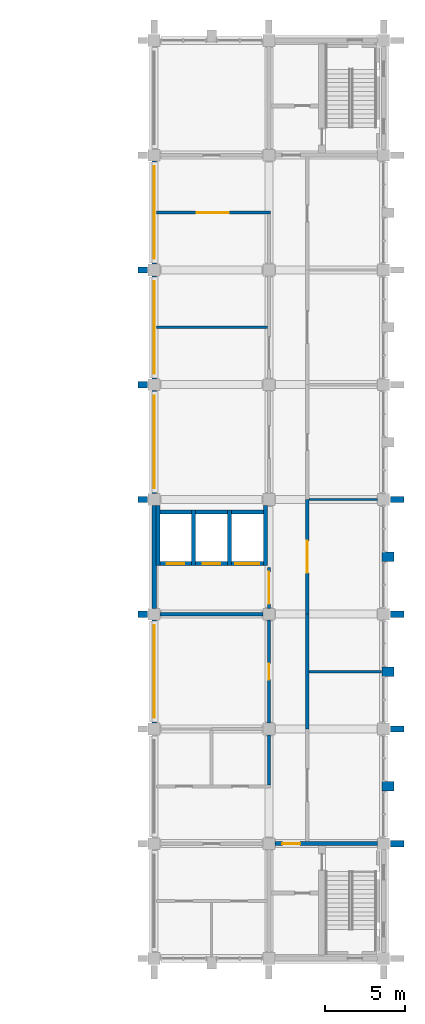
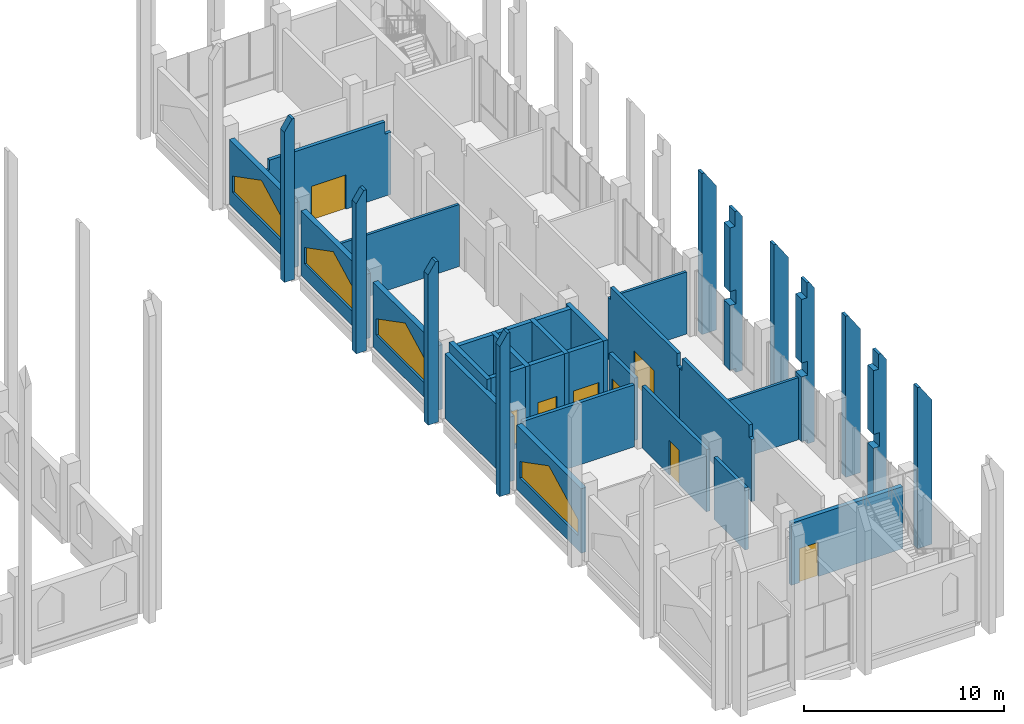
# One storey, part 35 of 40: 37 walls, 8 doors, 4 windows, 12 openings.
"""IFC4 building model written with IfcOpenShell, lengths in metres."""

from ifc_helpers import new_model, si_unit, direction, frame, frame_2d, origin, place, context, subcontext, project, spatial, polyline, rectangle, outline, extrude, material, layer, layer_set, type_object, element, fill, save


model = new_model("IFC4")

# Units and contexts
model_context = context("Model", 3, precision=1e-05, world=origin(), true_north=direction((0.0, 1.0)))
body_context = subcontext(model_context, "Body", "Model", "MODEL_VIEW")
ifc_project = project(units=[si_unit("LENGTHUNIT", "METRE"), si_unit("AREAUNIT", "SQUARE_METRE"), si_unit("VOLUMEUNIT", "CUBIC_METRE"), si_unit("PLANEANGLEUNIT", "RADIAN"), si_unit("MASSUNIT", "GRAM", prefix="KILO")], contexts=[model_context])

# Site, building, storey
site_placement = place(None, origin())
site = spatial("IfcSite", under=ifc_project, at=site_placement, CompositionType="ELEMENT")
building_placement = place(site_placement, origin())
building = spatial("IfcBuilding", under=site, at=building_placement, Name="Silangan Lancet Faculty of Sciences", CompositionType="ELEMENT")
storey_placement = place(building_placement, frame((0.0, 0.0, 21.60009765625)))
storey = spatial("IfcBuildingStorey", under=building, at=storey_placement, Name="L04", CompositionType="ELEMENT", Elevation=21.60009765625)

# Wall, opening, window
ifc_material_1 = material(Name="Concrete C40/50 precast", Category="concrete")
ifc_layer_1 = layer(ifc_material_1, 0.300048828125)
ifc_layer_set_1 = layer_set([ifc_layer_1], Name="Concrete C40/50 precast")
wall_type_1 = type_object("IfcWallType", Name="EW1 Precast cladding wall", PredefinedType="STANDARD", material=ifc_layer_set_1)
wall_1_placement = place(storey_placement, frame((72.0, 14.77490234375, 0.0), z_axis=(0.0, 0.0, 1.0), x_axis=(0.0, 1.0, 0.0)))
wall_1 = element("IfcWall", 1, at=wall_1_placement, inside=storey, type_object=wall_type_1, Name="EW-L04-W-EB-02", PredefinedType="STANDARD", context=body_context, shape_type="SweptSolid", body=[
    extrude(rectangle(XDim=6.4501953125, YDim=0.300048828125, at=frame_2d((3.22509765625, 0.0))), origin(), (0.0, 0.0, 1.0), 3.949951171875),
])
opening_1_placement = place(wall_1_placement, frame((0.324951171875, 0.0, 0.89990234375)))
opening_1 = element("IfcOpeningElement", 2, at=opening_1_placement, cuts=wall_1, Name="Opening W15", PredefinedType="OPENING", context=body_context, shape_type="SweptSolid", body=[
    extrude(outline(polyline([(0.0, 0.0), (5.800048828125, 0.0), (5.800048828125, 1.0), (2.89990234375, 2.5), (0.0, 1.0), (0.0, 0.0)])), frame((0.0, 0.159912109375, 0.0), z_axis=(0.0, -1.0, 0.0), x_axis=(1.0, 0.0, 0.0)), (0.0, 0.0, 1.0), 0.320068359375),
])
ifc_material_2 = material(Name="Aluminium frame, laminated double glazing", Category="aluminium")
window_type = type_object("IfcWindowType", Name="W15 Traceried bay window 5800 x 2500", PartitioningType="TRIPLE_PANEL_VERTICAL", PredefinedType="WINDOW", material=ifc_material_2)
window_1_placement = place(opening_1_placement, origin())
window_1 = element("IfcWindow", 3, at=window_1_placement, inside=storey, type_object=window_type, Name="WIN-L04-W-EB-02a", OverallHeight=2.5, OverallWidth=5.800048828125, PartitioningType="TRIPLE_PANEL_VERTICAL", PredefinedType="WINDOW", context=body_context, shape_type="SweptSolid", body=[
    extrude(outline(polyline([(0.0, 0.0), (5.800048828125, 0.0), (5.800048828125, 1.0), (2.89990234375, 2.5), (0.0, 1.0), (0.0, 0.0)])), frame((0.0, 0.030029296875, 0.0), z_axis=(0.0, -1.0, 0.0), x_axis=(1.0, 0.0, 0.0)), (0.0, 0.0, 1.0), 0.06005859375),
])
fill(opening_1, window_1)

# Wall
wall_2_placement = place(storey_placement, frame((72.0, 21.97509765625, 0.0), z_axis=(0.0, 0.0, 1.0), x_axis=(0.0, 1.0, 0.0)))
element("IfcWall", 4, at=wall_2_placement, inside=storey, type_object=wall_type_1, Name="EW-L04-W-EB-03", PredefinedType="STANDARD", context=body_context, shape_type="SweptSolid", body=[
    extrude(rectangle(XDim=6.449951171875, YDim=0.300048828125, at=frame_2d((3.22509765625, 0.0))), origin(), (0.0, 0.0, 1.0), 3.949951171875),
])

# Wall, opening, window
wall_3_placement = place(storey_placement, frame((72.0, 29.175048828125, 0.0), z_axis=(0.0, 0.0, 1.0), x_axis=(0.0, 1.0, 0.0)))
wall_3 = element("IfcWall", 5, at=wall_3_placement, inside=storey, type_object=wall_type_1, Name="EW-L04-W-EB-04", PredefinedType="STANDARD", context=body_context, shape_type="SweptSolid", body=[
    extrude(rectangle(XDim=6.449951171875, YDim=0.300048828125, at=frame_2d((3.22509765625, 0.0))), origin(), (0.0, 0.0, 1.0), 3.949951171875),
])
opening_2_placement = place(wall_3_placement, frame((0.324951171875, 0.0, 0.89990234375)))
opening_2 = element("IfcOpeningElement", 6, at=opening_2_placement, cuts=wall_3, Name="Opening W15", PredefinedType="OPENING", context=body_context, shape_type="SweptSolid", body=[
    extrude(outline(polyline([(0.0, 0.0), (5.800048828125, 0.0), (5.800048828125, 1.0), (2.89990234375, 2.5), (0.0, 1.0), (0.0, 0.0)])), frame((0.0, 0.159912109375, 0.0), z_axis=(0.0, -1.0, 0.0), x_axis=(1.0, 0.0, 0.0)), (0.0, 0.0, 1.0), 0.320068359375),
])
window_2_placement = place(opening_2_placement, origin())
window_2 = element("IfcWindow", 7, at=window_2_placement, inside=storey, type_object=window_type, Name="WIN-L04-W-EB-04a", OverallHeight=2.5, OverallWidth=5.800048828125, PartitioningType="TRIPLE_PANEL_VERTICAL", PredefinedType="WINDOW", context=body_context, shape_type="SweptSolid", body=[
    extrude(outline(polyline([(0.0, 0.0), (5.800048828125, 0.0), (5.800048828125, 1.0), (2.89990234375, 2.5), (0.0, 1.0), (0.0, 0.0)])), frame((0.0, 0.030029296875, 0.0), z_axis=(0.0, -1.0, 0.0), x_axis=(1.0, 0.0, 0.0)), (0.0, 0.0, 1.0), 0.06005859375),
])
fill(opening_2, window_2)

wall_4_placement = place(storey_placement, frame((72.0, 36.375, 0.0), z_axis=(0.0, 0.0, 1.0), x_axis=(0.0, 1.0, 0.0)))
wall_4 = element("IfcWall", 8, at=wall_4_placement, inside=storey, type_object=wall_type_1, Name="EW-L04-W-EB-05", PredefinedType="STANDARD", context=body_context, shape_type="SweptSolid", body=[
    extrude(rectangle(XDim=6.449951171875, YDim=0.300048828125, at=frame_2d((3.22509765625, 0.0))), origin(), (0.0, 0.0, 1.0), 3.949951171875),
])
opening_3_placement = place(wall_4_placement, frame((0.324951171875, 0.0, 0.89990234375)))
opening_3 = element("IfcOpeningElement", 9, at=opening_3_placement, cuts=wall_4, Name="Opening W15", PredefinedType="OPENING", context=body_context, shape_type="SweptSolid", body=[
    extrude(outline(polyline([(0.0, 0.0), (5.800048828125, 0.0), (5.800048828125, 1.0), (2.89990234375, 2.5), (0.0, 1.0), (0.0, 0.0)])), frame((0.0, 0.159912109375, 0.0), z_axis=(0.0, -1.0, 0.0), x_axis=(1.0, 0.0, 0.0)), (0.0, 0.0, 1.0), 0.320068359375),
])
window_3_placement = place(opening_3_placement, origin())
window_3 = element("IfcWindow", 10, at=window_3_placement, inside=storey, type_object=window_type, Name="WIN-L04-W-EB-05a", OverallHeight=2.5, OverallWidth=5.800048828125, PartitioningType="TRIPLE_PANEL_VERTICAL", PredefinedType="WINDOW", context=body_context, shape_type="SweptSolid", body=[
    extrude(outline(polyline([(0.0, 0.0), (5.800048828125, 0.0), (5.800048828125, 1.0), (2.89990234375, 2.5), (0.0, 1.0), (0.0, 0.0)])), frame((0.0, 0.030029296875, 0.0), z_axis=(0.0, -1.0, 0.0), x_axis=(1.0, 0.0, 0.0)), (0.0, 0.0, 1.0), 0.06005859375),
])
fill(opening_3, window_3)

wall_5_placement = place(storey_placement, frame((72.0, 43.574951171875, 0.0), z_axis=(0.0, 0.0, 1.0), x_axis=(0.0, 1.0, 0.0)))
wall_5 = element("IfcWall", 11, at=wall_5_placement, inside=storey, type_object=wall_type_1, Name="EW-L04-W-EB-06", PredefinedType="STANDARD", context=body_context, shape_type="SweptSolid", body=[
    extrude(rectangle(XDim=6.449951171875, YDim=0.300048828125, at=frame_2d((3.22509765625, 0.0))), origin(), (0.0, 0.0, 1.0), 3.949951171875),
])
opening_4_placement = place(wall_5_placement, frame((0.324951171875, 0.0, 0.89990234375)))
opening_4 = element("IfcOpeningElement", 12, at=opening_4_placement, cuts=wall_5, Name="Opening W15", PredefinedType="OPENING", context=body_context, shape_type="SweptSolid", body=[
    extrude(outline(polyline([(0.0, 0.0), (5.800048828125, 0.0), (5.800048828125, 1.0), (2.89990234375, 2.5), (0.0, 1.0), (0.0, 0.0)])), frame((0.0, 0.159912109375, 0.0), z_axis=(0.0, -1.0, 0.0), x_axis=(1.0, 0.0, 0.0)), (0.0, 0.0, 1.0), 0.320068359375),
])
window_4_placement = place(opening_4_placement, origin())
window_4 = element("IfcWindow", 13, at=window_4_placement, inside=storey, type_object=window_type, Name="WIN-L04-W-EB-06a", OverallHeight=2.5, OverallWidth=5.800048828125, PartitioningType="TRIPLE_PANEL_VERTICAL", PredefinedType="WINDOW", context=body_context, shape_type="SweptSolid", body=[
    extrude(outline(polyline([(0.0, 0.0), (5.800048828125, 0.0), (5.800048828125, 1.0), (2.89990234375, 2.5), (0.0, 1.0), (0.0, 0.0)])), frame((0.0, 0.030029296875, 0.0), z_axis=(0.0, -1.0, 0.0), x_axis=(1.0, 0.0, 0.0)), (0.0, 0.0, 1.0), 0.06005859375),
])
fill(opening_4, window_4)

# Walls
ifc_material_3 = material(Name="Concrete C40/50 precast", Category="concrete")
ifc_layer_2 = layer(ifc_material_3, 0.60009765625)
ifc_layer_set_2 = layer_set([ifc_layer_2], Name="Concrete C40/50 precast")
wall_type_2 = type_object("IfcWallType", Name="FN2 Buttress Fin mid-bay stage 2 9850", PredefinedType="POLYGONAL", material=ifc_layer_set_2)
for number, where, z_axis, x_axis, name in (
    (14, (86.300048828125, 10.800048828125, -0.25), (0.0, 0.0, 1.0), (1.0, 0.0, 0.0), "FIN-E-EB-1-S2"),
    (15, (86.300048828125, 18.0, -0.25), (0.0, 0.0, 1.0), (1.0, 0.0, 0.0), "FIN-E-EB-3-S2"),
    (16, (86.300048828125, 25.199951171875, -0.25), (0.0, 0.0, 1.0), (1.0, 0.0, 0.0), "FIN-E-EB-5-S2"),
):
    element("IfcWall", number, at=place(storey_placement, frame(where, z_axis=z_axis, x_axis=x_axis)), inside=storey, type_object=wall_type_2, Name=name, PredefinedType="POLYGONAL", context=body_context, shape_type="SweptSolid", body=[
        extrude(outline(polyline([(0.75, 0.0), (0.75, 9.39990234375), (0.449951171875, 9.849853515625), (0.300048828125, 9.849853515625), (0.300048828125, 8.949951171875), (0.0, 8.949951171875), (0.0, 5.0498046875), (0.35009765625, 5.0498046875), (0.35009765625, 4.199951171875), (0.0, 4.199951171875), (0.0, 0.25), (0.35009765625, 0.25), (0.35009765625, 0.0), (0.75, 0.0)])), frame((0.0, 0.300048828125, 0.0), z_axis=(0.0, -1.0, 0.0), x_axis=(1.0, 0.0, 0.0)), (0.0, 0.0, 1.0), 0.60009765625),
    ])
ifc_material_4 = material(Name="Concrete C40/50 precast", Category="concrete")
ifc_layer_3 = layer(ifc_material_4, 0.39990234375)
ifc_layer_set_3 = layer_set([ifc_layer_3], Name="Concrete C40/50 precast")
wall_type_3 = type_object("IfcWallType", Name="FN54 Buttress Fin column line stage 2 9850", PredefinedType="POLYGONAL", material=ifc_layer_set_3)
for number, where, z_axis, x_axis, name in (
    (17, (71.574951171875, 21.60009765625, -0.25), (0.0, 0.0, 1.0), (-1.0, 0.0, 0.0), "FINC-W-EB-04-S2"),
    (18, (71.574951171875, 28.800048828125, -0.25), (0.0, 0.0, 1.0), (-1.0, 0.0, 0.0), "FINC-W-EB-05-S2"),
    (19, (71.574951171875, 36.0, -0.25), (0.0, 0.0, 1.0), (-1.0, 0.0, 0.0), "FINC-W-EB-06-S2"),
    (20, (71.574951171875, 43.199951171875, -0.25), (0.0, 0.0, 1.0), (-1.0, 0.0, 0.0), "FINC-W-EB-07-S2"),
):
    element("IfcWall", number, at=place(storey_placement, frame(where, z_axis=z_axis, x_axis=x_axis)), inside=storey, type_object=wall_type_3, Name=name, PredefinedType="POLYGONAL", context=body_context, shape_type="SweptSolid", body=[
        extrude(outline(polyline([(0.60009765625, 0.0), (0.60009765625, 9.1748046875), (0.14990234375, 9.849853515625), (0.0, 9.849853515625), (0.0, 0.0), (0.60009765625, 0.0)])), frame((0.0, 0.199951171875, 0.0), z_axis=(0.0, -1.0, 0.0), x_axis=(1.0, 0.0, 0.0)), (0.0, 0.0, 1.0), 0.39990234375),
    ])
ifc_material_5 = material(Name="Concrete C40/50 precast", Category="concrete")
ifc_layer_4 = layer(ifc_material_5, 0.39990234375)
ifc_layer_set_4 = layer_set([ifc_layer_4], Name="Concrete C40/50 precast")
wall_type_4 = type_object("IfcWallType", Name="FN56 Buttress Fin column line stage 2 9850", PredefinedType="POLYGONAL", material=ifc_layer_set_4)
for number, where, z_axis, x_axis, name in (
    (21, (86.824951171875, 7.199951171875, -0.25), (0.0, 0.0, 1.0), (1.0, 0.0, 0.0), "FINC-E-EB-02-S2"),
    (22, (86.824951171875, 14.39990234375, -0.25), (0.0, 0.0, 1.0), (1.0, 0.0, 0.0), "FINC-E-EB-03-S2"),
    (23, (86.824951171875, 21.60009765625, -0.25), (0.0, 0.0, 1.0), (1.0, 0.0, 0.0), "FINC-E-EB-04-S2"),
    (24, (86.824951171875, 28.800048828125, -0.25), (0.0, 0.0, 1.0), (1.0, 0.0, 0.0), "FINC-E-EB-05-S2"),
):
    element("IfcWall", number, at=place(storey_placement, frame(where, z_axis=z_axis, x_axis=x_axis)), inside=storey, type_object=wall_type_4, Name=name, PredefinedType="POLYGONAL", context=body_context, shape_type="SweptSolid", body=[
        extrude(outline(polyline([(0.85009765625, 0.0), (0.85009765625, 8.7998046875), (0.14990234375, 9.849853515625), (0.0, 9.849853515625), (0.0, 0.0), (0.85009765625, 0.0)])), frame((0.0, 0.199951171875, 0.0), z_axis=(0.0, -1.0, 0.0), x_axis=(1.0, 0.0, 0.0)), (0.0, 0.0, 1.0), 0.39990234375),
    ])

# Wall, opening, door
ifc_material_6 = material(Name="Hollow block masonry fm 7 MPa", Category="masonry")
ifc_layer_5 = layer(ifc_material_6, 0.199951171875)
ifc_layer_set_5 = layer_set([ifc_layer_5], Name="Hollow block masonry fm 7 MPa")
wall_type_5 = type_object("IfcWallType", Name="Interior wall PW1 Corridor wall CHB 200", PredefinedType="PARTITIONING", material=ifc_layer_set_5)
wall_6_placement = place(storey_placement, frame((72.14990234375, 46.800048828125, 0.0), z_axis=(0.0, 0.0, 1.0), x_axis=(1.0, 0.0, 0.0)))
wall_6 = element("IfcWall", 25, at=wall_6_placement, inside=storey, type_object=wall_type_5, Name="Corridor wall CHB 200", PredefinedType="PARTITIONING", context=body_context, shape_type="SweptSolid", body=[
    extrude(outline(polyline([(0.0, 0.0), (7.150146484375, 0.0), (7.150146484375, 3.7998046875), (6.800048828125, 3.7998046875), (6.800048828125, 4.5498046875), (0.10009765625, 4.5498046875), (0.10009765625, 3.949951171875), (0.0, 3.949951171875), (0.0, 0.0)])), frame((0.0, 0.10009765625, 0.0), z_axis=(0.0, -1.0, 0.0), x_axis=(1.0, 0.0, 0.0)), (0.0, 0.0, 1.0), 0.199951171875),
])
opening_5_placement = place(wall_6_placement, frame((2.525146484375, 0.0, 0.0)))
opening_5 = element("IfcOpeningElement", 26, at=opening_5_placement, cuts=wall_6, Name="Opening L04-037", PredefinedType="OPENING", context=body_context, shape_type="SweptSolid", body=[
    extrude(rectangle(XDim=2.0, YDim=2.10009765625, at=frame_2d((1.0, 1.050048828125))), frame((0.0, 0.10986328125, 0.0), z_axis=(0.0, -1.0, 0.0), x_axis=(1.0, 0.0, 0.0)), (0.0, 0.0, 1.0), 0.219970703125),
])
ifc_material_7 = material(Name="Steel fire door set", Category="steel")
door_type_1 = type_object("IfcDoorType", Name="Door D4 Double leaf fire door 2000 x 2100", OperationType="DOUBLE_DOOR_SINGLE_SWING", PredefinedType="DOOR", material=ifc_material_7)
door_1_placement = place(opening_5_placement, origin())
door_1 = element("IfcDoor", 27, at=door_1_placement, inside=storey, type_object=door_type_1, Name="Double leaf fire door 2000 x 2100", OperationType="DOUBLE_DOOR_SINGLE_SWING", OverallHeight=2.10009765625, OverallWidth=2.0, PredefinedType="DOOR", context=body_context, shape_type="SweptSolid", body=[
    extrude(rectangle(XDim=2.0, YDim=2.10009765625, at=frame_2d((1.0, 1.050048828125))), frame((0.0, 0.02490234375, 0.0), z_axis=(0.0, -1.0, 0.0), x_axis=(1.0, 0.0, 0.0)), (0.0, 0.0, 1.0), 0.050048828125),
])
fill(opening_5, door_1)

# Wall
wall_7_placement = place(storey_placement, frame((79.199951171875, 10.89990234375, 0.0), z_axis=(0.0, 0.0, 1.0), x_axis=(0.0, 1.0, 0.0)))
element("IfcWall", 28, at=wall_7_placement, inside=storey, type_object=wall_type_5, Name="Corridor wall CHB 200", PredefinedType="PARTITIONING", context=body_context, shape_type="SweptSolid", body=[
    extrude(rectangle(XDim=3.125, YDim=0.199951171875, at=frame_2d((1.5625, 0.0))), origin(), (0.0, 0.0, 1.0), 3.7998046875),
])

# Wall, opening, door
wall_8_placement = place(storey_placement, frame((79.199951171875, 14.77490234375, 0.0), z_axis=(0.0, 0.0, 1.0), x_axis=(0.0, 1.0, 0.0)))
wall_8 = element("IfcWall", 29, at=wall_8_placement, inside=storey, type_object=wall_type_5, Name="Corridor wall CHB 200", PredefinedType="PARTITIONING", context=body_context, shape_type="SweptSolid", body=[
    extrude(rectangle(XDim=6.4501953125, YDim=0.199951171875, at=frame_2d((3.22509765625, 0.0))), origin(), (0.0, 0.0, 1.0), 3.7998046875),
])
opening_6_placement = place(wall_8_placement, frame((2.72509765625, 0.0, 0.0)))
opening_6 = element("IfcOpeningElement", 30, at=opening_6_placement, cuts=wall_8, Name="Opening L04-034", PredefinedType="OPENING", context=body_context, shape_type="SweptSolid", body=[
    extrude(rectangle(XDim=1.0, YDim=2.10009765625, at=frame_2d((0.5, 1.050048828125))), frame((0.0, 0.10986328125, 0.0), z_axis=(0.0, -1.0, 0.0), x_axis=(1.0, 0.0, 0.0)), (0.0, 0.0, 1.0), 0.219970703125),
])
ifc_material_8 = material(Name="Steel fire door set", Category="steel")
door_type_2 = type_object("IfcDoorType", Name="Door D1 Single leaf fire door 1000 x 2100", OperationType="SINGLE_SWING_LEFT", PredefinedType="DOOR", material=ifc_material_8)
door_2_placement = place(opening_6_placement, origin())
door_2 = element("IfcDoor", 31, at=door_2_placement, inside=storey, type_object=door_type_2, Name="Single leaf fire door 1000 x 2100", OperationType="SINGLE_SWING_RIGHT", OverallHeight=2.10009765625, OverallWidth=1.0, PredefinedType="DOOR", context=body_context, shape_type="SweptSolid", body=[
    extrude(rectangle(XDim=1.0, YDim=2.10009765625, at=frame_2d((0.5, 1.050048828125))), frame((0.0, 0.02490234375, 0.0), z_axis=(0.0, -1.0, 0.0), x_axis=(1.0, 0.0, 0.0)), (0.0, 0.0, 1.0), 0.050048828125),
])
fill(opening_6, door_2)

# Wall
wall_9_placement = place(storey_placement, frame((81.60009765625, 14.39990234375, 0.0), z_axis=(0.0, 0.0, 1.0), x_axis=(0.0, 1.0, 0.0)))
element("IfcWall", 32, at=wall_9_placement, inside=storey, type_object=wall_type_5, Name="Corridor wall CHB 200", PredefinedType="PARTITIONING", context=body_context, shape_type="SweptSolid", body=[
    extrude(outline(polyline([(0.0, 0.0), (7.2001953125, 0.0), (7.2001953125, 3.7998046875), (6.9501953125, 3.7998046875), (6.9501953125, 4.5498046875), (0.25, 4.5498046875), (0.25, 3.7998046875), (0.0, 3.7998046875), (0.0, 0.0)])), frame((0.0, 0.10009765625, 0.0), z_axis=(0.0, -1.0, 0.0), x_axis=(1.0, 0.0, 0.0)), (0.0, 0.0, 1.0), 0.199951171875),
])

# Wall, opening, door
wall_10_placement = place(storey_placement, frame((81.60009765625, 21.60009765625, 0.0), z_axis=(0.0, 0.0, 1.0), x_axis=(0.0, 1.0, 0.0)))
wall_10 = element("IfcWall", 33, at=wall_10_placement, inside=storey, type_object=wall_type_5, Name="Corridor wall CHB 200", PredefinedType="PARTITIONING", context=body_context, shape_type="SweptSolid", body=[
    extrude(outline(polyline([(0.0, 0.0), (7.199951171875, 0.0), (7.199951171875, 3.7998046875), (6.949951171875, 3.7998046875), (6.949951171875, 4.5498046875), (0.25, 4.5498046875), (0.25, 3.7998046875), (0.0, 3.7998046875), (0.0, 0.0)])), frame((0.0, 0.10009765625, 0.0), z_axis=(0.0, -1.0, 0.0), x_axis=(1.0, 0.0, 0.0)), (0.0, 0.0, 1.0), 0.199951171875),
])
opening_7_placement = place(wall_10_placement, frame((2.599853515625, 0.0, 0.0)))
opening_7 = element("IfcOpeningElement", 34, at=opening_7_placement, cuts=wall_10, Name="Opening L04-040", PredefinedType="OPENING", context=body_context, shape_type="SweptSolid", body=[
    extrude(rectangle(XDim=2.0, YDim=2.10009765625, at=frame_2d((1.0, 1.050048828125))), frame((0.0, 0.10986328125, 0.0), z_axis=(0.0, -1.0, 0.0), x_axis=(1.0, 0.0, 0.0)), (0.0, 0.0, 1.0), 0.219970703125),
])
door_3_placement = place(opening_7_placement, origin())
door_3 = element("IfcDoor", 35, at=door_3_placement, inside=storey, type_object=door_type_1, Name="Double leaf fire door 2000 x 2100", OperationType="DOUBLE_DOOR_SINGLE_SWING", OverallHeight=2.10009765625, OverallWidth=2.0, PredefinedType="DOOR", context=body_context, shape_type="SweptSolid", body=[
    extrude(rectangle(XDim=2.0, YDim=2.10009765625, at=frame_2d((1.0, 1.050048828125))), frame((0.0, 0.02490234375, 0.0), z_axis=(0.0, -1.0, 0.0), x_axis=(1.0, 0.0, 0.0)), (0.0, 0.0, 1.0), 0.050048828125),
])
fill(opening_7, door_3)

# Walls
ifc_material_9 = material(Name="Hollow block masonry fm 7 MPa", Category="masonry")
ifc_layer_6 = layer(ifc_material_9, 0.14990234375)
ifc_layer_set_6 = layer_set([ifc_layer_6], Name="Hollow block masonry fm 7 MPa")
wall_type_6 = type_object("IfcWallType", Name="Interior wall PW3 Partition CHB 150", PredefinedType="PARTITIONING", material=ifc_layer_set_6)
wall_11_placement = place(storey_placement, frame((81.699951171875, 18.0, 0.0), z_axis=(0.0, 0.0, 1.0), x_axis=(1.0, 0.0, 0.0)))
element("IfcWall", 36, at=wall_11_placement, inside=storey, type_object=wall_type_6, Name="Partition CHB 150", PredefinedType="PARTITIONING", context=body_context, shape_type="SweptSolid", body=[
    extrude(rectangle(XDim=4.550048828125, YDim=0.14990234375, at=frame_2d((2.27490234375, 0.0))), origin(), (0.0, 0.0, 1.0), 3.7998046875),
])
wall_12_placement = place(storey_placement, frame((81.699951171875, 28.800048828125, 0.0), z_axis=(0.0, 0.0, 1.0), x_axis=(1.0, 0.0, 0.0)))
element("IfcWall", 37, at=wall_12_placement, inside=storey, type_object=wall_type_6, Name="Partition CHB 150", PredefinedType="PARTITIONING", context=body_context, shape_type="SweptSolid", body=[
    extrude(rectangle(XDim=4.324951171875, YDim=0.14990234375, at=frame_2d((2.16259765625, 0.0))), origin(), (0.0, 0.0, 1.0), 3.7998046875),
])
wall_13_placement = place(storey_placement, frame((72.14990234375, 39.60009765625, 0.0), z_axis=(0.0, 0.0, 1.0), x_axis=(1.0, 0.0, 0.0)))
element("IfcWall", 38, at=wall_13_placement, inside=storey, type_object=wall_type_6, Name="Partition CHB 150", PredefinedType="PARTITIONING", context=body_context, shape_type="SweptSolid", body=[
    extrude(rectangle(XDim=6.9501953125, YDim=0.14990234375, at=frame_2d((3.47509765625, 0.0))), origin(), (0.0, 0.0, 1.0), 3.7998046875),
])
ifc_material_10 = material(Name="Hollow block masonry fm 7 MPa", Category="masonry")
ifc_layer_7 = layer(ifc_material_10, 0.199951171875)
ifc_layer_set_7 = layer_set([ifc_layer_7], Name="Hollow block masonry fm 7 MPa")
wall_type_7 = type_object("IfcWallType", Name="Interior wall PW9 Lift lobby wall CHB 200", PredefinedType="PARTITIONING", material=ifc_layer_set_7)
wall_14_placement = place(storey_placement, frame((72.375, 21.60009765625, 0.0), z_axis=(0.0, 0.0, 1.0), x_axis=(1.0, 0.0, 0.0)))
element("IfcWall", 39, at=wall_14_placement, inside=storey, type_object=wall_type_7, Name="Lift lobby wall CHB 200", PredefinedType="PARTITIONING", context=body_context, shape_type="SweptSolid", body=[
    extrude(rectangle(XDim=6.449951171875, YDim=0.199951171875, at=frame_2d((3.22509765625, 0.0))), origin(), (0.0, 0.0, 1.0), 3.7998046875),
])

# Wall, opening, door
wall_15_placement = place(storey_placement, frame((79.199951171875, 21.97509765625, 0.0), z_axis=(0.0, 0.0, 1.0), x_axis=(0.0, 1.0, 0.0)))
wall_15 = element("IfcWall", 40, at=wall_15_placement, inside=storey, type_object=wall_type_7, Name="Lift lobby wall CHB 200", PredefinedType="PARTITIONING", context=body_context, shape_type="SweptSolid", body=[
    extrude(rectangle(XDim=2.5498046875, YDim=0.199951171875, at=frame_2d((1.27490234375, 0.0))), origin(), (0.0, 0.0, 1.0), 3.7998046875),
])
opening_8_placement = place(wall_15_placement, frame((0.27490234375, 0.0, 0.0)))
opening_8 = element("IfcOpeningElement", 41, at=opening_8_placement, cuts=wall_15, Name="Opening L04-007", PredefinedType="OPENING", context=body_context, shape_type="SweptSolid", body=[
    extrude(rectangle(XDim=2.0, YDim=2.39990234375, at=frame_2d((1.0, 1.199951171875))), frame((0.0, 0.10986328125, 0.0), z_axis=(0.0, -1.0, 0.0), x_axis=(1.0, 0.0, 0.0)), (0.0, 0.0, 1.0), 0.219970703125),
])
ifc_material_11 = material(Name="Steel fire door set", Category="steel")
door_type_3 = type_object("IfcDoorType", Name="Door D5 Lift lobby double fire door 2000 x 2400", OperationType="DOUBLE_DOOR_SINGLE_SWING", PredefinedType="DOOR", material=ifc_material_11)
door_4_placement = place(opening_8_placement, origin())
door_4 = element("IfcDoor", 42, at=door_4_placement, inside=storey, type_object=door_type_3, Name="Lift lobby double fire door 2000 x 2400", OperationType="DOUBLE_DOOR_SINGLE_SWING", OverallHeight=2.39990234375, OverallWidth=2.0, PredefinedType="DOOR", context=body_context, shape_type="SweptSolid", body=[
    extrude(rectangle(XDim=2.0, YDim=2.39990234375, at=frame_2d((1.0, 1.199951171875))), frame((0.0, 0.02490234375, 0.0), z_axis=(0.0, -1.0, 0.0), x_axis=(1.0, 0.0, 0.0)), (0.0, 0.0, 1.0), 0.050048828125),
])
fill(opening_8, door_4)

# Walls
ifc_material_12 = material(Name="Concrete C40/50", Category="concrete")
ifc_layer_8 = layer(ifc_material_12, 0.25)
ifc_layer_set_8 = layer_set([ifc_layer_8], Name="Concrete C40/50")
wall_type_8 = type_object("IfcWallType", Name="LIFT SHAFT WALL RC 250", PredefinedType="SHEAR", material=ifc_layer_set_8)
wall_16_placement = place(storey_placement, frame((72.22509765625, 24.64990234375, -0.25), z_axis=(0.0, 0.0, 1.0), x_axis=(0.0, 1.0, 0.0)))
element("IfcWall", 43, at=wall_16_placement, inside=storey, type_object=wall_type_8, Name="WALL-L04-EB-SW1", PredefinedType="SHEAR", context=body_context, shape_type="SweptSolid", body=[
    extrude(rectangle(XDim=3.775146484375, YDim=0.25, at=frame_2d((1.8876953125, 0.0))), origin(), (0.0, 0.0, 1.0), 4.7998046875),
])
for number, where, z_axis, x_axis, name in (
    (44, (74.47509765625, 24.64990234375, -0.25), (0.0, 0.0, 1.0), (0.0, 1.0, 0.0), "WALL-L04-EB-SW2"),
    (45, (76.72509765625, 24.64990234375, -0.25), (0.0, 0.0, 1.0), (0.0, 1.0, 0.0), "WALL-L04-EB-SW3"),
):
    element("IfcWall", number, at=place(storey_placement, frame(where, z_axis=z_axis, x_axis=x_axis)), inside=storey, type_object=wall_type_8, Name=name, PredefinedType="SHEAR", context=body_context, shape_type="SweptSolid", body=[
        extrude(rectangle(XDim=3.5, YDim=0.25, at=frame_2d((1.75, 0.0))), origin(), (0.0, 0.0, 1.0), 4.7998046875),
    ])
wall_17_placement = place(storey_placement, frame((78.97509765625, 24.64990234375, -0.25), z_axis=(0.0, 0.0, 1.0), x_axis=(0.0, 1.0, 0.0)))
element("IfcWall", 46, at=wall_17_placement, inside=storey, type_object=wall_type_8, Name="WALL-L04-EB-SW4", PredefinedType="SHEAR", context=body_context, shape_type="SweptSolid", body=[
    extrude(rectangle(XDim=3.775146484375, YDim=0.25, at=frame_2d((1.8876953125, 0.0))), origin(), (0.0, 0.0, 1.0), 4.7998046875),
])

# Wall, opening, door
wall_18_placement = place(storey_placement, frame((72.35009765625, 24.77490234375, -0.25), z_axis=(0.0, 0.0, 1.0), x_axis=(1.0, 0.0, 0.0)))
wall_18 = element("IfcWall", 47, at=wall_18_placement, inside=storey, type_object=wall_type_8, Name="WALL-L04-EB-L1-F", PredefinedType="SHEAR", context=body_context, shape_type="SweptSolid", body=[
    extrude(rectangle(XDim=2.0, YDim=0.25, at=frame_2d((1.0, 0.0))), origin(), (0.0, 0.0, 1.0), 4.7998046875),
])
opening_9_placement = place(wall_18_placement, frame((0.449951171875, 0.0, 0.25)))
opening_9 = element("IfcOpeningElement", 48, at=opening_9_placement, cuts=wall_18, Name="Opening L04-801", PredefinedType="OPENING", context=body_context, shape_type="SweptSolid", body=[
    extrude(rectangle(XDim=1.10009765625, YDim=2.10009765625, at=frame_2d((0.550048828125, 1.050048828125))), frame((0.0, 0.135009765625, 0.0), z_axis=(0.0, -1.0, 0.0), x_axis=(1.0, 0.0, 0.0)), (0.0, 0.0, 1.0), 0.27001953125),
])
ifc_material_13 = material(Name="Stainless steel sliding door", Category="steel")
door_type_4 = type_object("IfcDoorType", Name="LD1 Lift landing door 1100x2100", OperationType="SLIDING_TO_LEFT", PredefinedType="DOOR", material=ifc_material_13)
door_5_placement = place(opening_9_placement, origin())
door_5 = element("IfcDoor", 49, at=door_5_placement, inside=storey, type_object=door_type_4, Name="Landing door EB-L1 L04", OperationType="SLIDING_TO_LEFT", OverallHeight=2.10009765625, OverallWidth=1.10009765625, PredefinedType="DOOR", context=body_context, shape_type="SweptSolid", body=[
    extrude(rectangle(XDim=1.10009765625, YDim=2.10009765625, at=frame_2d((0.550048828125, 1.050048828125))), frame((0.0, 0.02490234375, 0.0), z_axis=(0.0, -1.0, 0.0), x_axis=(1.0, 0.0, 0.0)), (0.0, 0.0, 1.0), 0.050048828125),
])
fill(opening_9, door_5)

# Wall
wall_19_placement = place(storey_placement, frame((72.35009765625, 28.02490234375, -0.25), z_axis=(0.0, 0.0, 1.0), x_axis=(1.0, 0.0, 0.0)))
element("IfcWall", 50, at=wall_19_placement, inside=storey, type_object=wall_type_8, Name="WALL-L04-EB-L1-B", PredefinedType="SHEAR", context=body_context, shape_type="SweptSolid", body=[
    extrude(rectangle(XDim=2.0, YDim=0.25, at=frame_2d((1.0, 0.0))), origin(), (0.0, 0.0, 1.0), 4.7998046875),
])

# Wall, opening, door
wall_20_placement = place(storey_placement, frame((74.60009765625, 24.77490234375, -0.25), z_axis=(0.0, 0.0, 1.0), x_axis=(1.0, 0.0, 0.0)))
wall_20 = element("IfcWall", 51, at=wall_20_placement, inside=storey, type_object=wall_type_8, Name="WALL-L04-EB-L2-F", PredefinedType="SHEAR", context=body_context, shape_type="SweptSolid", body=[
    extrude(rectangle(XDim=2.0, YDim=0.25, at=frame_2d((1.0, 0.0))), origin(), (0.0, 0.0, 1.0), 4.7998046875),
])
opening_10_placement = place(wall_20_placement, frame((0.449951171875, 0.0, 0.25)))
opening_10 = element("IfcOpeningElement", 52, at=opening_10_placement, cuts=wall_20, Name="Opening L04-802", PredefinedType="OPENING", context=body_context, shape_type="SweptSolid", body=[
    extrude(rectangle(XDim=1.10009765625, YDim=2.10009765625, at=frame_2d((0.550048828125, 1.050048828125))), frame((0.0, 0.135009765625, 0.0), z_axis=(0.0, -1.0, 0.0), x_axis=(1.0, 0.0, 0.0)), (0.0, 0.0, 1.0), 0.27001953125),
])
door_6_placement = place(opening_10_placement, origin())
door_6 = element("IfcDoor", 53, at=door_6_placement, inside=storey, type_object=door_type_4, Name="Landing door EB-L2 L04", OperationType="SLIDING_TO_LEFT", OverallHeight=2.10009765625, OverallWidth=1.10009765625, PredefinedType="DOOR", context=body_context, shape_type="SweptSolid", body=[
    extrude(rectangle(XDim=1.10009765625, YDim=2.10009765625, at=frame_2d((0.550048828125, 1.050048828125))), frame((0.0, 0.02490234375, 0.0), z_axis=(0.0, -1.0, 0.0), x_axis=(1.0, 0.0, 0.0)), (0.0, 0.0, 1.0), 0.050048828125),
])
fill(opening_10, door_6)

# Wall
wall_21_placement = place(storey_placement, frame((74.60009765625, 28.02490234375, -0.25), z_axis=(0.0, 0.0, 1.0), x_axis=(1.0, 0.0, 0.0)))
element("IfcWall", 54, at=wall_21_placement, inside=storey, type_object=wall_type_8, Name="WALL-L04-EB-L2-B", PredefinedType="SHEAR", context=body_context, shape_type="SweptSolid", body=[
    extrude(rectangle(XDim=2.0, YDim=0.25, at=frame_2d((1.0, 0.0))), origin(), (0.0, 0.0, 1.0), 4.7998046875),
])

# Wall, opening, door
wall_22_placement = place(storey_placement, frame((76.85009765625, 24.77490234375, -0.25), z_axis=(0.0, 0.0, 1.0), x_axis=(1.0, 0.0, 0.0)))
wall_22 = element("IfcWall", 55, at=wall_22_placement, inside=storey, type_object=wall_type_8, Name="WALL-L04-EB-L3-F", PredefinedType="SHEAR", context=body_context, shape_type="SweptSolid", body=[
    extrude(rectangle(XDim=2.0, YDim=0.25, at=frame_2d((1.0, 0.0))), origin(), (0.0, 0.0, 1.0), 4.7998046875),
])
opening_11_placement = place(wall_22_placement, frame((0.25, 0.0, 0.25)))
opening_11 = element("IfcOpeningElement", 56, at=opening_11_placement, cuts=wall_22, Name="Opening L04-803", PredefinedType="OPENING", context=body_context, shape_type="SweptSolid", body=[
    extrude(rectangle(XDim=1.5, YDim=2.10009765625, at=frame_2d((0.75, 1.050048828125))), frame((0.0, 0.135009765625, 0.0), z_axis=(0.0, -1.0, 0.0), x_axis=(1.0, 0.0, 0.0)), (0.0, 0.0, 1.0), 0.27001953125),
])
ifc_material_14 = material(Name="Steel sliding door", Category="steel")
door_type_5 = type_object("IfcDoorType", Name="LD2 Lift landing door 1500x2100", OperationType="SLIDING_TO_LEFT", PredefinedType="DOOR", material=ifc_material_14)
door_7_placement = place(opening_11_placement, origin())
door_7 = element("IfcDoor", 57, at=door_7_placement, inside=storey, type_object=door_type_5, Name="Landing door EB-L3 L04", OperationType="SLIDING_TO_LEFT", OverallHeight=2.10009765625, OverallWidth=1.5, PredefinedType="DOOR", context=body_context, shape_type="SweptSolid", body=[
    extrude(rectangle(XDim=1.5, YDim=2.10009765625, at=frame_2d((0.75, 1.050048828125))), frame((0.0, 0.02490234375, 0.0), z_axis=(0.0, -1.0, 0.0), x_axis=(1.0, 0.0, 0.0)), (0.0, 0.0, 1.0), 0.050048828125),
])
fill(opening_11, door_7)

# Wall
wall_23_placement = place(storey_placement, frame((76.85009765625, 28.02490234375, -0.25), z_axis=(0.0, 0.0, 1.0), x_axis=(1.0, 0.0, 0.0)))
element("IfcWall", 58, at=wall_23_placement, inside=storey, type_object=wall_type_8, Name="WALL-L04-EB-L3-B", PredefinedType="SHEAR", context=body_context, shape_type="SweptSolid", body=[
    extrude(rectangle(XDim=2.0, YDim=0.25, at=frame_2d((1.0, 0.0))), origin(), (0.0, 0.0, 1.0), 4.7998046875),
])

# Wall, opening, door
ifc_material_15 = material(Name="Concrete C40/50", Category="concrete")
ifc_layer_9 = layer(ifc_material_15, 0.25)
ifc_layer_set_9 = layer_set([ifc_layer_9], Name="Concrete C40/50")
wall_type_9 = type_object("IfcWallType", Name="TURRET WALL RC 250", PredefinedType="SHEAR", material=ifc_layer_set_9)
wall_24_placement = place(storey_placement, frame((79.574951171875, 7.199951171875, 0.0), z_axis=(0.0, 0.0, 1.0), x_axis=(1.0, 0.0, 0.0)))
wall_24 = element("IfcWall", 59, at=wall_24_placement, inside=storey, type_object=wall_type_9, Name="WALL-L04-EB-A-V", PredefinedType="SHEAR", context=body_context, shape_type="SweptSolid", body=[
    extrude(rectangle(XDim=6.449951171875, YDim=0.25, at=frame_2d((3.22509765625, 0.0))), origin(), (0.0, 0.0, 1.0), 3.7998046875),
])
opening_12_placement = place(wall_24_placement, frame((0.47509765625, 0.0, 0.0)))
opening_12 = element("IfcOpeningElement", 60, at=opening_12_placement, cuts=wall_24, Name="Opening L04-702", PredefinedType="OPENING", context=body_context, shape_type="SweptSolid", body=[
    extrude(rectangle(XDim=1.10009765625, YDim=2.10009765625, at=frame_2d((0.550048828125, 1.050048828125))), frame((0.0, 0.135009765625, 0.0), z_axis=(0.0, -1.0, 0.0), x_axis=(1.0, 0.0, 0.0)), (0.0, 0.0, 1.0), 0.27001953125),
])
ifc_material_16 = material(Name="Steel fire door set", Category="steel")
door_type_6 = type_object("IfcDoorType", Name="D70 Stair vestibule door 1100x2100", OperationType="SINGLE_SWING_LEFT", PredefinedType="DOOR", material=ifc_material_16)
door_8_placement = place(opening_12_placement, frame((1.10009765625, 0.0, 0.0), z_axis=(0.0, 0.0, 1.0), x_axis=(-1.0, 0.0, 0.0)))
door_8 = element("IfcDoor", 61, at=door_8_placement, inside=storey, type_object=door_type_6, Name="Stair vestibule door EB-A L04", OperationType="SINGLE_SWING_RIGHT", OverallHeight=2.10009765625, OverallWidth=1.10009765625, PredefinedType="DOOR", context=body_context, shape_type="SweptSolid", body=[
    extrude(rectangle(XDim=1.10009765625, YDim=2.10009765625, at=frame_2d((0.550048828125, 1.050048828125))), frame((0.0, 0.025146484375, 0.0), z_axis=(0.0, -1.0, 0.0), x_axis=(1.0, 0.0, 0.0)), (0.0, 0.0, 1.0), 0.050048828125),
])
fill(opening_12, door_8)

save(model, "model.ifc")
